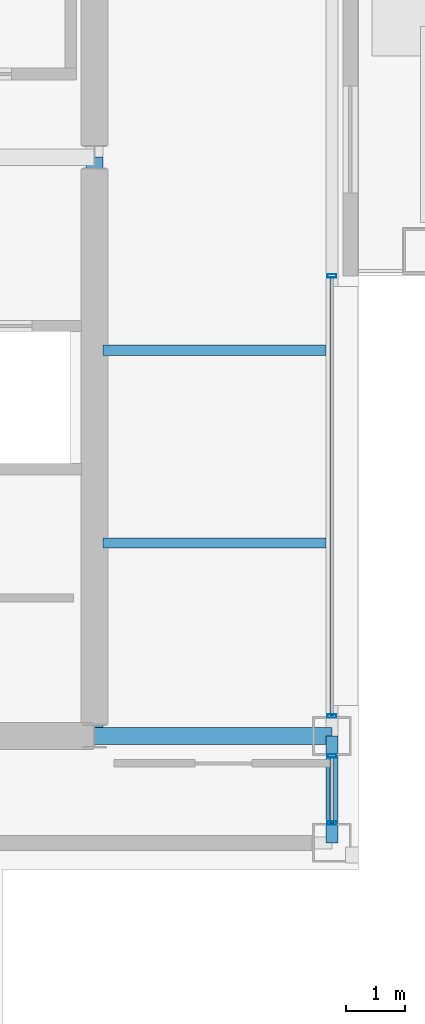
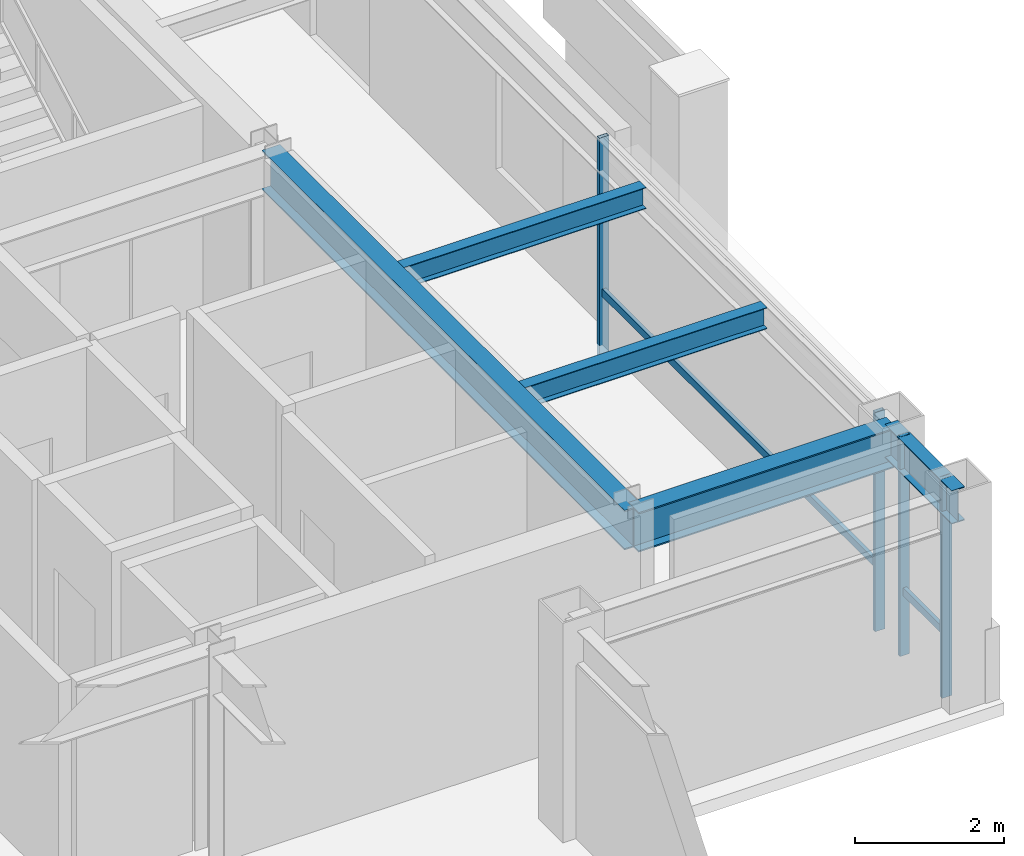
# One storey, part 14 of 28: 6 members, 5 beams, 2 elements without a shape of their own.
"""IFC4 building model written with IfcOpenShell, lengths in metres."""

from ifc_helpers import new_model, si_unit, direction, frame, origin, origin_2d, place, context, subcontext, project, spatial, hollow_rectangle, i_section, extrude, material, layer, layer_set, material_profile, profile_set, type_object, element, aggregate, save


model = new_model("IFC4")

# Units and contexts
model_context = context("Model", 3, precision=1e-05, world=origin(), true_north=direction((0.0, 1.0)))
body_context = subcontext(model_context, "Body", "Model", "MODEL_VIEW")
ifc_project = project(units=[si_unit("LENGTHUNIT", "METRE"), si_unit("AREAUNIT", "SQUARE_METRE"), si_unit("VOLUMEUNIT", "CUBIC_METRE"), si_unit("PLANEANGLEUNIT", "RADIAN"), si_unit("MASSUNIT", "GRAM", prefix="KILO")], contexts=[model_context])

# Site, building, storey
site_placement = place(None, origin())
site = spatial("IfcSite", under=ifc_project, at=site_placement, CompositionType="ELEMENT")
building_placement = place(site_placement, origin())
building = spatial("IfcBuilding", under=site, at=building_placement, Name="Brelmoor Portico Tower", CompositionType="ELEMENT")
storey_placement = place(building_placement, frame((0.0, 0.0, 225.60009765625)))
storey = spatial("IfcBuildingStorey", under=building, at=storey_placement, Name="L59", CompositionType="ELEMENT", Elevation=225.60009765625)

# Beams
ifc_material_1 = material(Name="Steel Q355B", Category="steel")
ifc_material_profile_1 = material_profile(ifc_material_1, i_section(OverallWidth=0.175048828125, OverallDepth=0.35009765625, WebThickness=0.007080078125, FlangeThickness=0.010986328125, at=origin_2d()), Name="HN 350x175x7x11")
ifc_profile_set_1 = profile_set([ifc_material_profile_1], Name="Steel Q355B")
beam_type_1 = type_object("IfcBeamType", Name="BM-JS-350", PredefinedType="JOIST", material=ifc_profile_set_1)
for number, where, z_axis, x_axis, name in (
    (1, (14.68994140625, -6.5, 3.224853515625), (1.0, 0.0, 0.0), (0.0, 1.0, 0.0), "L59 Secondary Wing Joist JS-E11"),
    (2, (14.68994140625, -3.25, 3.224853515625), (1.0, 0.0, 0.0), (0.0, 1.0, 0.0), "L59 Secondary Wing Joist JS-E12"),
):
    element("IfcBeam", number, at=place(storey_placement, frame(where, z_axis=z_axis, x_axis=x_axis)), inside=storey, type_object=beam_type_1, Name=name, PredefinedType="JOIST", context=body_context, shape_type="SweptSolid", body=[
        extrude(i_section(OverallWidth=0.175048828125, OverallDepth=0.35009765625, WebThickness=0.007080078125, FlangeThickness=0.010986328125, at=origin_2d()), origin(), (0.0, 0.0, 1.0), 3.760009765625),
    ])
ifc_material_profile_2 = material_profile(ifc_material_1, i_section(OverallWidth=0.280029296875, OverallDepth=0.64990234375, WebThickness=0.012939453125, FlangeThickness=0.02197265625, at=origin_2d()), Name="HN 650x280x13x22")
ifc_profile_set_2 = profile_set([ifc_material_profile_2], Name="Steel Q355B")
beam_type_2 = type_object("IfcBeamType", Name="BM-PG-650", PredefinedType="BEAM", material=ifc_profile_set_2)
beam_1_placement = place(storey_placement, frame((14.550048828125, -9.75, 3.074951171875), z_axis=(0.0, 1.0, 0.0), x_axis=(-1.0, 0.0, 0.0)))
element("IfcBeam", 3, at=beam_1_placement, inside=storey, type_object=beam_type_2, Name="L59 Primary Floor Girder PG-09", PredefinedType="BEAM", context=body_context, shape_type="SweptSolid", body=[
    extrude(i_section(OverallWidth=0.280029296875, OverallDepth=0.64990234375, WebThickness=0.012939453125, FlangeThickness=0.02197265625, at=origin_2d()), origin(), (0.0, 0.0, 1.0), 9.75),
])
beam_2_placement = place(storey_placement, frame((14.550048828125, -9.75, 3.074951171875), z_axis=(1.0, 0.0, 0.0), x_axis=(0.0, 1.0, 0.0)))
element("IfcBeam", 4, at=beam_2_placement, inside=storey, type_object=beam_type_2, Name="L59 Primary Floor Girder PG-15", PredefinedType="BEAM", context=body_context, shape_type="SweptSolid", body=[
    extrude(i_section(OverallWidth=0.280029296875, OverallDepth=0.64990234375, WebThickness=0.012939453125, FlangeThickness=0.02197265625, at=origin_2d()), origin(), (0.0, 0.0, 1.0), 4.0),
])
ifc_material_profile_3 = material_profile(ifc_material_1, i_section(OverallWidth=0.199951171875, OverallDepth=0.550048828125, WebThickness=0.010009765625, FlangeThickness=0.01611328125, at=origin_2d()), Name="HN 550x200x10x16")
ifc_profile_set_3 = profile_set([ifc_material_profile_3], Name="Steel Q355B")
beam_type_3 = type_object("IfcBeamType", Name="BM-SP-550", PredefinedType="SPANDREL", material=ifc_profile_set_3)
beam_3_placement = place(storey_placement, frame((18.550048828125, -11.550048828125, 3.125), z_axis=(0.0, 1.0, 0.0), x_axis=(-1.0, 0.0, 0.0)))
element("IfcBeam", 5, at=beam_3_placement, inside=storey, type_object=beam_type_3, Name="L59 Perimeter Spandrel Beam SP-18", PredefinedType="SPANDREL", context=body_context, shape_type="SweptSolid", body=[
    extrude(i_section(OverallWidth=0.199951171875, OverallDepth=0.550048828125, WebThickness=0.010009765625, FlangeThickness=0.01611328125, at=origin_2d()), origin(), (0.0, 0.0, 1.0), 1.800048828125),
])

# Curtain wall, members
ifc_material_2 = material(Name="Anodised Aluminium Alloy 6063-T6", Category="aluminium")
ifc_layer = layer(ifc_material_2, 0.179931640625)
ifc_layer_set = layer_set([ifc_layer], Name="Anodised Aluminium Alloy 6063-T6")
curtain_wall_type = type_object("IfcCurtainWallType", Name="CW-TOWER-Z4", PredefinedType="NOTDEFINED", material=ifc_layer_set)
curtain_wall_1_placement = place(storey_placement, origin())
curtain_wall_1 = element("IfcCurtainWall", 6, at=curtain_wall_1_placement, inside=storey, type_object=curtain_wall_type, Name="L59 Curtain Wall CW-L59-4L-1", PredefinedType="NOTDEFINED")
ifc_material_profile_4 = material_profile(ifc_material_2, hollow_rectangle(XDim=0.06005859375, YDim=0.14990234375, WallThickness=0.00390625, at=origin_2d()), Name="ALU MULLION 60x150")
ifc_profile_set_4 = profile_set([ifc_material_profile_4], Name="Anodised Aluminium Alloy 6063-T6")
member_type_1 = type_object("IfcMemberType", Name="MB-CW-MULL-150", PredefinedType="MULLION", material=ifc_profile_set_4)
member_1_placement = place(storey_placement, frame((18.550048828125, -11.215087890625, -0.2001953125), z_axis=(0.0, 0.0, 1.0), x_axis=(0.0, 1.0, 0.0)))
member_1 = element("IfcMember", 7, at=member_1_placement, type_object=member_type_1, Name="CW-L59-4L-1 Mullion 00", PredefinedType="MULLION", context=body_context, shape_type="SweptSolid", body=[
    extrude(hollow_rectangle(XDim=0.06005859375, YDim=0.14990234375, WallThickness=0.00390625, at=origin_2d()), origin(), (0.0, 0.0, 1.0), 3.60009765625),
])
member_2_placement = place(storey_placement, frame((18.550048828125, -10.0849609375, -0.2001953125), z_axis=(0.0, 0.0, 1.0), x_axis=(0.0, 1.0, 0.0)))
member_2 = element("IfcMember", 8, at=member_2_placement, type_object=member_type_1, Name="CW-L59-4L-1 Mullion 01", PredefinedType="MULLION", context=body_context, shape_type="SweptSolid", body=[
    extrude(hollow_rectangle(XDim=0.06005859375, YDim=0.14990234375, WallThickness=0.00390625, at=origin_2d()), origin(), (0.0, 0.0, 1.0), 3.60009765625),
])

curtain_wall_2_placement = place(storey_placement, origin())
curtain_wall_2 = element("IfcCurtainWall", 9, at=curtain_wall_2_placement, inside=storey, type_object=curtain_wall_type, Name="L59 Curtain Wall CW-L59-4L-2", PredefinedType="NOTDEFINED")
member_3_placement = place(storey_placement, frame((18.550048828125, -9.4150390625, -0.2001953125), z_axis=(0.0, 0.0, 1.0), x_axis=(0.0, 1.0, 0.0)))
member_3 = element("IfcMember", 10, at=member_3_placement, type_object=member_type_1, Name="CW-L59-4L-2 Mullion 00", PredefinedType="MULLION", context=body_context, shape_type="SweptSolid", body=[
    extrude(hollow_rectangle(XDim=0.06005859375, YDim=0.14990234375, WallThickness=0.00390625, at=origin_2d()), origin(), (0.0, 0.0, 1.0), 3.60009765625),
])
member_4_placement = place(storey_placement, frame((18.550048828125, -2.0, -0.2001953125), z_axis=(0.0, 0.0, 1.0), x_axis=(0.0, 1.0, 0.0)))
member_4 = element("IfcMember", 11, at=member_4_placement, type_object=member_type_1, Name="CW-L59-4L-2 Mullion 01", PredefinedType="MULLION", context=body_context, shape_type="SweptSolid", body=[
    extrude(hollow_rectangle(XDim=0.06005859375, YDim=0.14990234375, WallThickness=0.00390625, at=origin_2d()), origin(), (0.0, 0.0, 1.0), 3.60009765625),
])

# Member
ifc_material_profile_5 = material_profile(ifc_material_2, hollow_rectangle(XDim=0.06005859375, YDim=0.125, WallThickness=0.00341796875, at=origin_2d()), Name="ALU TRANSOM 60x125")
ifc_profile_set_5 = profile_set([ifc_material_profile_5], Name="Anodised Aluminium Alloy 6063-T6")
member_type_2 = type_object("IfcMemberType", Name="MB-CW-TRAN-125", PredefinedType="USERDEFINED", material=ifc_profile_set_5)
member_5_placement = place(storey_placement, frame((18.550048828125, -11.215087890625, 0.849853515625), z_axis=(0.0, 1.0, 0.0), x_axis=(-1.0, 0.0, 0.0)))
member_5 = element("IfcMember", 12, at=member_5_placement, type_object=member_type_2, Name="CW-L59-4L-1 Transom 1-00", ObjectType="TRANSOM", PredefinedType="USERDEFINED", context=body_context, shape_type="SweptSolid", body=[
    extrude(hollow_rectangle(XDim=0.06005859375, YDim=0.125, WallThickness=0.00341796875, at=origin_2d()), origin(), (0.0, 0.0, 1.0), 1.130126953125),
])

aggregate(curtain_wall_1, [member_1, member_2, member_5])

member_6_placement = place(storey_placement, frame((18.550048828125, -9.4150390625, 0.849853515625), z_axis=(0.0, 1.0, 0.0), x_axis=(-1.0, 0.0, 0.0)))
member_6 = element("IfcMember", 13, at=member_6_placement, type_object=member_type_2, Name="CW-L59-4L-2 Transom 1-00", ObjectType="TRANSOM", PredefinedType="USERDEFINED", context=body_context, shape_type="SweptSolid", body=[
    extrude(hollow_rectangle(XDim=0.06005859375, YDim=0.125, WallThickness=0.00341796875, at=origin_2d()), origin(), (0.0, 0.0, 1.0), 7.4150390625),
])

aggregate(curtain_wall_2, [member_3, member_4, member_6])

save(model, "model.ifc")
